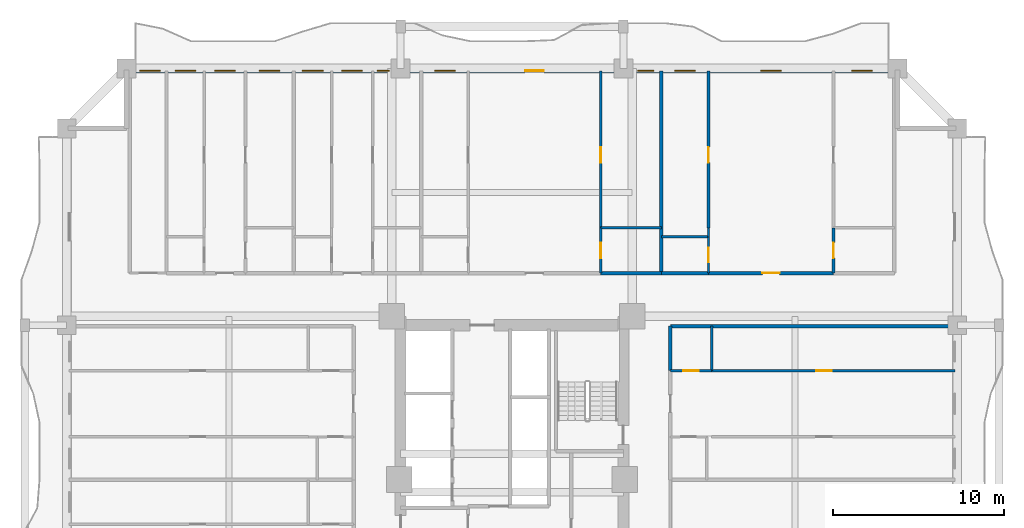
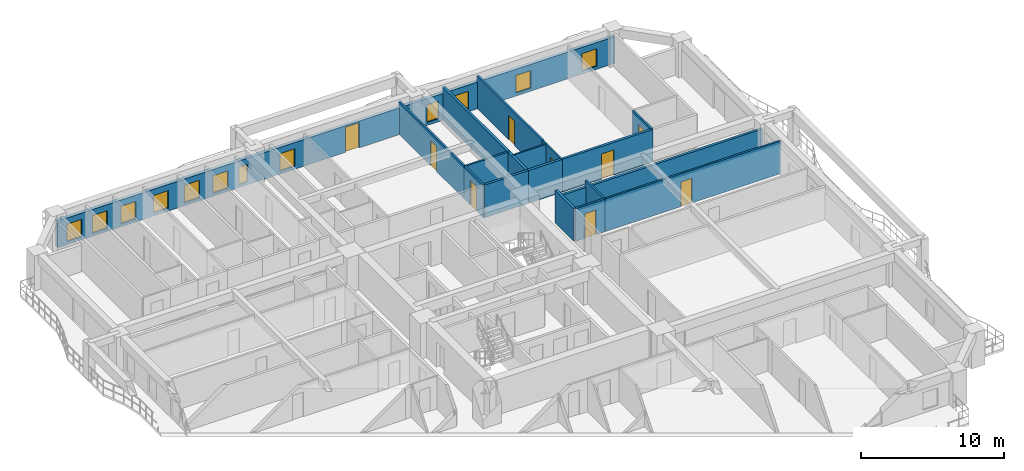
# One storey, part 7 of 15: 18 walls, 12 windows, 9 doors, 21 openings.
"""IFC4 building model written with IfcOpenShell, lengths in metres."""

from ifc_helpers import new_model, si_unit, direction, frame, frame_2d, origin, place, context, subcontext, project, spatial, rectangle, extrude, source, transform, mapped, material, layer, layer_set, type_object, element, fill, save


model = new_model("IFC4")

# Units and contexts
model_context = context("Model", 3, precision=1e-05, world=origin(), true_north=direction((0.0, 1.0)))
body_context = subcontext(model_context, "Body", "Model", "MODEL_VIEW")
ifc_project = project(units=[si_unit("LENGTHUNIT", "METRE"), si_unit("AREAUNIT", "SQUARE_METRE"), si_unit("VOLUMEUNIT", "CUBIC_METRE"), si_unit("PLANEANGLEUNIT", "RADIAN"), si_unit("MASSUNIT", "GRAM", prefix="KILO")], contexts=[model_context])

# Site, building, storey
site_placement = place(None, origin())
site = spatial("IfcSite", under=ifc_project, at=site_placement, CompositionType="ELEMENT")
building_placement = place(site_placement, origin())
building = spatial("IfcBuilding", under=site, at=building_placement, Name="Saelheon Loggia Tower", CompositionType="ELEMENT")
storey_placement = place(building_placement, frame((0.0, 0.0, 49.39990234375)))
storey = spatial("IfcBuildingStorey", under=building, at=storey_placement, Name="L15", CompositionType="ELEMENT", Elevation=49.39990234375)

# Wall, openings, windows, door
ifc_material_1 = material(Name="Architectural Precast Concrete C40/50", Category="concrete")
ifc_layer_1 = layer(ifc_material_1, 0.280029296875)
ifc_layer_set_1 = layer_set([ifc_layer_1], Name="Architectural Precast Concrete C40/50")
wall_type_1 = type_object("IfcWallType", Name="Wall_Ext_Loggia_280", PredefinedType="SOLIDWALL", material=ifc_layer_set_1)
wall_1_placement = place(storey_placement, frame((15.5, 50.860107421875, 0.0), z_axis=(0.0, 0.0, 1.0), x_axis=(1.0, 0.0, 0.0)))
wall_1 = element("IfcWall", 1, at=wall_1_placement, inside=storey, type_object=wall_type_1, Name="L15 North Loggia Inner Wall", PredefinedType="SOLIDWALL", context=body_context, shape_type="SweptSolid", body=[
    extrude(rectangle(XDim=45.0, YDim=0.280029296875, at=frame_2d((22.5, 0.0))), origin(), (0.0, 0.0, 1.0), 2.280029296875),
])
opening_1_placement = place(wall_1_placement, frame((0.760009765625, 0.0, 0.25)))
opening_1 = element("IfcOpeningElement", 2, at=opening_1_placement, cuts=wall_1, Name="Opening WN-03", PredefinedType="OPENING", context=body_context, shape_type="SweptSolid", body=[
    extrude(rectangle(XDim=1.199951171875, YDim=1.5, at=frame_2d((0.60009765625, 0.75))), frame((0.0, 0.152099609375, 0.0), z_axis=(0.0, -1.0, 0.0), x_axis=(1.0, 0.0, 0.0)), (0.0, 0.0, 1.0), 0.303955078125),
])
opening_2_placement = place(wall_1_placement, frame((2.830078125, 0.0, 0.25)))
opening_2 = element("IfcOpeningElement", 3, at=opening_2_placement, cuts=wall_1, Name="Opening WN-03", PredefinedType="OPENING", context=body_context, shape_type="SweptSolid", body=[
    extrude(rectangle(XDim=1.199951171875, YDim=1.5, at=frame_2d((0.60009765625, 0.75))), frame((0.0, 0.152099609375, 0.0), z_axis=(0.0, -1.0, 0.0), x_axis=(1.0, 0.0, 0.0)), (0.0, 0.0, 1.0), 0.303955078125),
])
opening_3_placement = place(wall_1_placement, frame((5.135009765625, 0.0, 0.25)))
opening_3 = element("IfcOpeningElement", 4, at=opening_3_placement, cuts=wall_1, Name="Opening WN-03", PredefinedType="OPENING", context=body_context, shape_type="SweptSolid", body=[
    extrude(rectangle(XDim=1.199951171875, YDim=1.5, at=frame_2d((0.60009765625, 0.75))), frame((0.0, 0.152099609375, 0.0), z_axis=(0.0, -1.0, 0.0), x_axis=(1.0, 0.0, 0.0)), (0.0, 0.0, 1.0), 0.303955078125),
])
opening_4_placement = place(wall_1_placement, frame((7.7529296875, 0.0, 0.25)))
opening_4 = element("IfcOpeningElement", 5, at=opening_4_placement, cuts=wall_1, Name="Opening WN-03", PredefinedType="OPENING", context=body_context, shape_type="SweptSolid", body=[
    extrude(rectangle(XDim=1.199951171875, YDim=1.5, at=frame_2d((0.60009765625, 0.75))), frame((0.0, 0.152099609375, 0.0), z_axis=(0.0, -1.0, 0.0), x_axis=(1.0, 0.0, 0.0)), (0.0, 0.0, 1.0), 0.303955078125),
])
opening_5_placement = place(wall_1_placement, frame((10.265869140625, 0.0, 0.25)))
opening_5 = element("IfcOpeningElement", 6, at=opening_5_placement, cuts=wall_1, Name="Opening WN-03", PredefinedType="OPENING", context=body_context, shape_type="SweptSolid", body=[
    extrude(rectangle(XDim=1.199951171875, YDim=1.5, at=frame_2d((0.60009765625, 0.75))), frame((0.0, 0.152099609375, 0.0), z_axis=(0.0, -1.0, 0.0), x_axis=(1.0, 0.0, 0.0)), (0.0, 0.0, 1.0), 0.303955078125),
])
opening_6_placement = place(wall_1_placement, frame((12.57080078125, 0.0, 0.25)))
opening_6 = element("IfcOpeningElement", 7, at=opening_6_placement, cuts=wall_1, Name="Opening WN-03", PredefinedType="OPENING", context=body_context, shape_type="SweptSolid", body=[
    extrude(rectangle(XDim=1.199951171875, YDim=1.5, at=frame_2d((0.60009765625, 0.75))), frame((0.0, 0.152099609375, 0.0), z_axis=(0.0, -1.0, 0.0), x_axis=(1.0, 0.0, 0.0)), (0.0, 0.0, 1.0), 0.303955078125),
])
opening_7_placement = place(wall_1_placement, frame((14.64306640625, 0.0, 0.25)))
opening_7 = element("IfcOpeningElement", 8, at=opening_7_placement, cuts=wall_1, Name="Opening WN-06", PredefinedType="OPENING", context=body_context, shape_type="SweptSolid", body=[
    extrude(rectangle(XDim=0.699951171875, YDim=1.5, at=frame_2d((0.35009765625, 0.75))), frame((0.0, 0.152099609375, 0.0), z_axis=(0.0, -1.0, 0.0), x_axis=(1.0, 0.0, 0.0)), (0.0, 0.0, 1.0), 0.303955078125),
])
opening_8_placement = place(wall_1_placement, frame((17.9765625, 0.0, 0.25)))
opening_8 = element("IfcOpeningElement", 9, at=opening_8_placement, cuts=wall_1, Name="Opening WN-03", PredefinedType="OPENING", context=body_context, shape_type="SweptSolid", body=[
    extrude(rectangle(XDim=1.199951171875, YDim=1.5, at=frame_2d((0.60009765625, 0.75))), frame((0.0, 0.152099609375, 0.0), z_axis=(0.0, -1.0, 0.0), x_axis=(1.0, 0.0, 0.0)), (0.0, 0.0, 1.0), 0.303955078125),
])
opening_9_placement = place(wall_1_placement, frame((23.26318359375, 0.0, 0.0)))
opening_9 = element("IfcOpeningElement", 10, at=opening_9_placement, cuts=wall_1, Name="Opening TD1", PredefinedType="OPENING", context=body_context, shape_type="SweptSolid", body=[
    extrude(rectangle(XDim=1.10009765625, YDim=2.14990234375, at=frame_2d((0.550048828125, 1.074951171875))), frame((0.0, 0.152099609375, 0.0), z_axis=(0.0, -1.0, 0.0), x_axis=(1.0, 0.0, 0.0)), (0.0, 0.0, 1.0), 0.303955078125),
])
opening_10_placement = place(wall_1_placement, frame((29.83154296875, 0.0, 0.25)))
opening_10 = element("IfcOpeningElement", 11, at=opening_10_placement, cuts=wall_1, Name="Opening WN-04", PredefinedType="OPENING", context=body_context, shape_type="SweptSolid", body=[
    extrude(rectangle(XDim=0.949951171875, YDim=1.5, at=frame_2d((0.47509765625, 0.75))), frame((0.0, 0.152099609375, 0.0), z_axis=(0.0, -1.0, 0.0), x_axis=(1.0, 0.0, 0.0)), (0.0, 0.0, 1.0), 0.303955078125),
])
opening_11_placement = place(wall_1_placement, frame((31.998291015625, 0.0, 0.25)))
opening_11 = element("IfcOpeningElement", 12, at=opening_11_placement, cuts=wall_1, Name="Opening WN-03", PredefinedType="OPENING", context=body_context, shape_type="SweptSolid", body=[
    extrude(rectangle(XDim=1.199951171875, YDim=1.5, at=frame_2d((0.60009765625, 0.75))), frame((0.0, 0.152099609375, 0.0), z_axis=(0.0, -1.0, 0.0), x_axis=(1.0, 0.0, 0.0)), (0.0, 0.0, 1.0), 0.303955078125),
])
opening_12_placement = place(wall_1_placement, frame((37.022705078125, 0.0, 0.25)))
opening_12 = element("IfcOpeningElement", 13, at=opening_12_placement, cuts=wall_1, Name="Opening WN-03", PredefinedType="OPENING", context=body_context, shape_type="SweptSolid", body=[
    extrude(rectangle(XDim=1.199951171875, YDim=1.5, at=frame_2d((0.60009765625, 0.75))), frame((0.0, 0.152099609375, 0.0), z_axis=(0.0, -1.0, 0.0), x_axis=(1.0, 0.0, 0.0)), (0.0, 0.0, 1.0), 0.303955078125),
])
opening_13_placement = place(wall_1_placement, frame((42.341064453125, 0.0, 0.25)))
opening_13 = element("IfcOpeningElement", 14, at=opening_13_placement, cuts=wall_1, Name="Opening WN-03", PredefinedType="OPENING", context=body_context, shape_type="SweptSolid", body=[
    extrude(rectangle(XDim=1.199951171875, YDim=1.5, at=frame_2d((0.60009765625, 0.75))), frame((0.0, 0.152099609375, 0.0), z_axis=(0.0, -1.0, 0.0), x_axis=(1.0, 0.0, 0.0)), (0.0, 0.0, 1.0), 0.303955078125),
])
ifc_material_2 = material(Name="Thermal-Break Aluminium and Triple Low-E Glass", Category="aluminium")
window_type_1 = type_object("IfcWindowType", Name="Win_Slot_700x1500", PartitioningType="SINGLE_PANEL", PredefinedType="WINDOW", material=ifc_material_2)
shared_shape_1 = source(origin(), body_context, "Body", "SweptSolid", [
    extrude(rectangle(XDim=0.699951171875, YDim=1.5, at=frame_2d((0.35009765625, 0.75))), frame((0.0, 0.030029296875, 0.0), z_axis=(0.0, -1.0, 0.0), x_axis=(1.0, 0.0, 0.0)), (0.0, 0.0, 1.0), 0.06005859375),
])
window_1_placement = place(opening_7_placement, origin())
window_1 = element("IfcWindow", 15, at=window_1_placement, inside=storey, type_object=window_type_1, Name="L15 N Dwelling Window 7", OverallHeight=1.5, OverallWidth=0.699951171875, PartitioningType="SINGLE_PANEL", PredefinedType="WINDOW", context=body_context, shape_type="MappedRepresentation", body=[
    mapped(shared_shape_1, transform((0.0, 0.0, 0.0), scale=1.0)),
])
fill(opening_7, window_1)
window_type_2 = type_object("IfcWindowType", Name="Win_Bedroom_1200x1500", PartitioningType="SINGLE_PANEL", PredefinedType="WINDOW", material=ifc_material_2)
shared_shape_2 = source(origin(), body_context, "Body", "SweptSolid", [
    extrude(rectangle(XDim=1.199951171875, YDim=1.5, at=frame_2d((0.60009765625, 0.75))), frame((0.0, 0.030029296875, 0.0), z_axis=(0.0, -1.0, 0.0), x_axis=(1.0, 0.0, 0.0)), (0.0, 0.0, 1.0), 0.06005859375),
])
window_2_placement = place(opening_1_placement, origin())
window_2 = element("IfcWindow", 16, at=window_2_placement, inside=storey, type_object=window_type_2, Name="L15 N Dwelling Window 1", OverallHeight=1.5, OverallWidth=1.199951171875, PartitioningType="SINGLE_PANEL", PredefinedType="WINDOW", context=body_context, shape_type="MappedRepresentation", body=[
    mapped(shared_shape_2, transform((0.0, 0.0, 0.0), scale=1.0)),
])
fill(opening_1, window_2)
window_3_placement = place(opening_2_placement, origin())
window_3 = element("IfcWindow", 17, at=window_3_placement, inside=storey, type_object=window_type_2, Name="L15 N Dwelling Window 2", OverallHeight=1.5, OverallWidth=1.199951171875, PartitioningType="SINGLE_PANEL", PredefinedType="WINDOW", context=body_context, shape_type="MappedRepresentation", body=[
    mapped(shared_shape_2, transform((0.0, 0.0, 0.0), scale=1.0)),
])
fill(opening_2, window_3)
window_4_placement = place(opening_3_placement, origin())
window_4 = element("IfcWindow", 18, at=window_4_placement, inside=storey, type_object=window_type_2, Name="L15 N Dwelling Window 3", OverallHeight=1.5, OverallWidth=1.199951171875, PartitioningType="SINGLE_PANEL", PredefinedType="WINDOW", context=body_context, shape_type="MappedRepresentation", body=[
    mapped(shared_shape_2, transform((0.0, 0.0, 0.0), scale=1.0)),
])
fill(opening_3, window_4)
window_5_placement = place(opening_4_placement, origin())
window_5 = element("IfcWindow", 19, at=window_5_placement, inside=storey, type_object=window_type_2, Name="L15 N Dwelling Window 4", OverallHeight=1.5, OverallWidth=1.199951171875, PartitioningType="SINGLE_PANEL", PredefinedType="WINDOW", context=body_context, shape_type="MappedRepresentation", body=[
    mapped(shared_shape_2, transform((0.0, 0.0, 0.0), scale=1.0)),
])
fill(opening_4, window_5)
window_6_placement = place(opening_5_placement, origin())
window_6 = element("IfcWindow", 20, at=window_6_placement, inside=storey, type_object=window_type_2, Name="L15 N Dwelling Window 5", OverallHeight=1.5, OverallWidth=1.199951171875, PartitioningType="SINGLE_PANEL", PredefinedType="WINDOW", context=body_context, shape_type="MappedRepresentation", body=[
    mapped(shared_shape_2, transform((0.0, 0.0, 0.0), scale=1.0)),
])
fill(opening_5, window_6)
window_7_placement = place(opening_6_placement, origin())
window_7 = element("IfcWindow", 21, at=window_7_placement, inside=storey, type_object=window_type_2, Name="L15 N Dwelling Window 6", OverallHeight=1.5, OverallWidth=1.199951171875, PartitioningType="SINGLE_PANEL", PredefinedType="WINDOW", context=body_context, shape_type="MappedRepresentation", body=[
    mapped(shared_shape_2, transform((0.0, 0.0, 0.0), scale=1.0)),
])
fill(opening_6, window_7)
window_8_placement = place(opening_8_placement, origin())
window_8 = element("IfcWindow", 22, at=window_8_placement, inside=storey, type_object=window_type_2, Name="L15 N Dwelling Window 8", OverallHeight=1.5, OverallWidth=1.199951171875, PartitioningType="SINGLE_PANEL", PredefinedType="WINDOW", context=body_context, shape_type="MappedRepresentation", body=[
    mapped(shared_shape_2, transform((0.0, 0.0, 0.0), scale=1.0)),
])
fill(opening_8, window_8)
window_9_placement = place(opening_11_placement, origin())
window_9 = element("IfcWindow", 23, at=window_9_placement, inside=storey, type_object=window_type_2, Name="L15 N Dwelling Window 11", OverallHeight=1.5, OverallWidth=1.199951171875, PartitioningType="SINGLE_PANEL", PredefinedType="WINDOW", context=body_context, shape_type="MappedRepresentation", body=[
    mapped(shared_shape_2, transform((0.0, 0.0, 0.0), scale=1.0)),
])
fill(opening_11, window_9)
window_10_placement = place(opening_12_placement, origin())
window_10 = element("IfcWindow", 24, at=window_10_placement, inside=storey, type_object=window_type_2, Name="L15 N Dwelling Window 12", OverallHeight=1.5, OverallWidth=1.199951171875, PartitioningType="SINGLE_PANEL", PredefinedType="WINDOW", context=body_context, shape_type="MappedRepresentation", body=[
    mapped(shared_shape_2, transform((0.0, 0.0, 0.0), scale=1.0)),
])
fill(opening_12, window_10)
window_11_placement = place(opening_13_placement, origin())
window_11 = element("IfcWindow", 25, at=window_11_placement, inside=storey, type_object=window_type_2, Name="L15 N Dwelling Window 13", OverallHeight=1.5, OverallWidth=1.199951171875, PartitioningType="SINGLE_PANEL", PredefinedType="WINDOW", context=body_context, shape_type="MappedRepresentation", body=[
    mapped(shared_shape_2, transform((0.0, 0.0, 0.0), scale=1.0)),
])
fill(opening_13, window_11)
ifc_material_3 = material(Name="Thermal-Break Aluminium Glazed Door", Category="aluminium")
door_type_1 = type_object("IfcDoorType", Name="Door_Terrace_TD1", OperationType="NOTDEFINED", PredefinedType="DOOR", material=ifc_material_3)
shared_shape_3 = source(origin(), body_context, "Body", "SweptSolid", [
    extrude(rectangle(XDim=1.10009765625, YDim=2.14990234375, at=frame_2d((0.550048828125, 1.074951171875))), frame((0.0, 0.02490234375, 0.0), z_axis=(0.0, -1.0, 0.0), x_axis=(1.0, 0.0, 0.0)), (0.0, 0.0, 1.0), 0.050048828125),
])
door_1_placement = place(opening_9_placement, origin())
door_1 = element("IfcDoor", 26, at=door_1_placement, inside=storey, type_object=door_type_1, Name="L15 N Loggia Access Door", OperationType="SINGLE_SWING_LEFT", OverallHeight=2.14990234375, OverallWidth=1.10009765625, PredefinedType="DOOR", context=body_context, shape_type="MappedRepresentation", body=[
    mapped(shared_shape_3, transform((0.0, 0.0, 0.0), scale=1.0)),
])
fill(opening_9, door_1)
window_type_3 = type_object("IfcWindowType", Name="Win_Narrow_950x1500", PartitioningType="SINGLE_PANEL", PredefinedType="WINDOW", material=ifc_material_2)
shared_shape_4 = source(origin(), body_context, "Body", "SweptSolid", [
    extrude(rectangle(XDim=0.949951171875, YDim=1.5, at=frame_2d((0.47509765625, 0.75))), frame((0.0, 0.030029296875, 0.0), z_axis=(0.0, -1.0, 0.0), x_axis=(1.0, 0.0, 0.0)), (0.0, 0.0, 1.0), 0.06005859375),
])
window_12_placement = place(opening_10_placement, origin())
window_12 = element("IfcWindow", 27, at=window_12_placement, inside=storey, type_object=window_type_3, Name="L15 N Dwelling Window 10", OverallHeight=1.5, OverallWidth=0.949951171875, PartitioningType="SINGLE_PANEL", PredefinedType="WINDOW", context=body_context, shape_type="MappedRepresentation", body=[
    mapped(shared_shape_4, transform((0.0, 0.0, 0.0), scale=1.0)),
])
fill(opening_10, window_12)

# Wall
ifc_material_4 = material(Name="Lightweight Autoclaved Aerated Concrete Block and Acoustic Gypsum", Category="concrete")
ifc_layer_2 = layer(ifc_material_4, 0.14990234375)
ifc_layer_set_2 = layer_set([ifc_layer_2], Name="Lightweight Autoclaved Aerated Concrete Block and Acoustic Gypsum")
wall_type_2 = type_object("IfcWallType", Name="Wall_Part_150", PredefinedType="PARTITIONING", material=ifc_layer_set_2)
wall_2_placement = place(storey_placement, frame((43.17529296875, 41.68994140625, 0.0), z_axis=(0.0, 0.0, 1.0), x_axis=(1.0, 0.0, 0.0)))
element("IfcWall", 28, at=wall_2_placement, inside=storey, type_object=wall_type_2, Name="L15 N Partition V31", PredefinedType="PARTITIONING", context=body_context, shape_type="SweptSolid", body=[
    extrude(rectangle(XDim=3.5478515625, YDim=0.14990234375, at=frame_2d((1.77392578125, 0.0))), origin(), (0.0, 0.0, 1.0), 2.7900390625),
])

# Wall, opening, door
wall_3_placement = place(storey_placement, frame((43.17529296875, 39.050048828125, 0.0), z_axis=(0.0, 0.0, 1.0), x_axis=(0.0, 1.0, 0.0)))
wall_3 = element("IfcWall", 29, at=wall_3_placement, inside=storey, type_object=wall_type_2, Name="L15 N Partition U35", PredefinedType="PARTITIONING", context=body_context, shape_type="SweptSolid", body=[
    extrude(rectangle(XDim=2.639892578125, YDim=0.14990234375, at=frame_2d((1.31982421875, 0.0))), origin(), (0.0, 0.0, 1.0), 2.7900390625),
])
opening_14_placement = place(wall_3_placement, frame((0.8701171875, 0.0, 0.0)))
opening_14 = element("IfcOpeningElement", 30, at=opening_14_placement, cuts=wall_3, Name="Opening D-IN2", PredefinedType="OPENING", context=body_context, shape_type="SweptSolid", body=[
    extrude(rectangle(XDim=0.89990234375, YDim=2.10009765625, at=frame_2d((0.449951171875, 1.050048828125))), frame((0.0, 0.0869140625, 0.0), z_axis=(0.0, -1.0, 0.0), x_axis=(1.0, 0.0, 0.0)), (0.0, 0.0, 1.0), 0.173828125),
])
ifc_material_5 = material(Name="Engineered Oak Flush Door", Category="timber")
door_type_2 = type_object("IfcDoorType", Name="Door_Int_900", OperationType="NOTDEFINED", PredefinedType="DOOR", material=ifc_material_5)
shared_shape_5 = source(origin(), body_context, "Body", "SweptSolid", [
    extrude(rectangle(XDim=0.89990234375, YDim=2.10009765625, at=frame_2d((0.449951171875, 1.050048828125))), frame((0.0, 0.02490234375, 0.0), z_axis=(0.0, -1.0, 0.0), x_axis=(1.0, 0.0, 0.0)), (0.0, 0.0, 1.0), 0.050048828125),
])
door_2_placement = place(opening_14_placement, origin())
door_2 = element("IfcDoor", 31, at=door_2_placement, inside=storey, type_object=door_type_2, Name="Unit U05 Dressing Closet Door", OperationType="SINGLE_SWING_LEFT", OverallHeight=2.10009765625, OverallWidth=0.89990234375, PredefinedType="DOOR", context=body_context, shape_type="MappedRepresentation", body=[
    mapped(shared_shape_5, transform((0.0, 0.0, 0.0), scale=1.0)),
])
fill(opening_14, door_2)

wall_4_placement = place(storey_placement, frame((43.17529296875, 41.68994140625, 0.0), z_axis=(0.0, 0.0, 1.0), x_axis=(0.0, 1.0, 0.0)))
wall_4 = element("IfcWall", 32, at=wall_4_placement, inside=storey, type_object=wall_type_2, Name="L15 N Partition U36", PredefinedType="PARTITIONING", context=body_context, shape_type="SweptSolid", body=[
    extrude(rectangle(XDim=9.16015625, YDim=0.14990234375, at=frame_2d((4.580078125, 0.0))), origin(), (0.0, 0.0, 1.0), 2.7900390625),
])
opening_15_placement = place(wall_4_placement, frame((3.805908203125, 0.0, 0.0)))
opening_15 = element("IfcOpeningElement", 33, at=opening_15_placement, cuts=wall_4, Name="Opening D-IN2", PredefinedType="OPENING", context=body_context, shape_type="SweptSolid", body=[
    extrude(rectangle(XDim=0.89990234375, YDim=2.10009765625, at=frame_2d((0.449951171875, 1.050048828125))), frame((0.0, 0.0869140625, 0.0), z_axis=(0.0, -1.0, 0.0), x_axis=(1.0, 0.0, 0.0)), (0.0, 0.0, 1.0), 0.173828125),
])
door_3_placement = place(opening_15_placement, origin())
door_3 = element("IfcDoor", 34, at=door_3_placement, inside=storey, type_object=door_type_2, Name="Unit U05 Bedroom 1 Door", OperationType="SINGLE_SWING_RIGHT", OverallHeight=2.10009765625, OverallWidth=0.89990234375, PredefinedType="DOOR", context=body_context, shape_type="MappedRepresentation", body=[
    mapped(shared_shape_5, transform((0.0, 0.0, 0.0), scale=1.0)),
])
fill(opening_15, door_3)

wall_5_placement = place(storey_placement, frame((49.47314453125, 41.68994140625, 0.0), z_axis=(0.0, 0.0, 1.0), x_axis=(0.0, 1.0, 0.0)))
wall_5 = element("IfcWall", 35, at=wall_5_placement, inside=storey, type_object=wall_type_2, Name="L15 N Partition U45", PredefinedType="PARTITIONING", context=body_context, shape_type="SweptSolid", body=[
    extrude(rectangle(XDim=9.16015625, YDim=0.14990234375, at=frame_2d((4.580078125, 0.0))), origin(), (0.0, 0.0, 1.0), 2.7900390625),
])
opening_16_placement = place(wall_5_placement, frame((3.805908203125, 0.0, 0.0)))
opening_16 = element("IfcOpeningElement", 36, at=opening_16_placement, cuts=wall_5, Name="Opening D-IN2", PredefinedType="OPENING", context=body_context, shape_type="SweptSolid", body=[
    extrude(rectangle(XDim=0.89990234375, YDim=2.10009765625, at=frame_2d((0.449951171875, 1.050048828125))), frame((0.0, 0.0869140625, 0.0), z_axis=(0.0, -1.0, 0.0), x_axis=(1.0, 0.0, 0.0)), (0.0, 0.0, 1.0), 0.173828125),
])
door_4_placement = place(opening_16_placement, origin())
door_4 = element("IfcDoor", 37, at=door_4_placement, inside=storey, type_object=door_type_2, Name="Unit U06 Kitchen Door", OperationType="SINGLE_SWING_LEFT", OverallHeight=2.10009765625, OverallWidth=0.89990234375, PredefinedType="DOOR", context=body_context, shape_type="MappedRepresentation", body=[
    mapped(shared_shape_5, transform((0.0, 0.0, 0.0), scale=1.0)),
])
fill(opening_16, door_4)

wall_6_placement = place(storey_placement, frame((56.77197265625, 39.050048828125, 0.0), z_axis=(0.0, 0.0, 1.0), x_axis=(0.0, 1.0, 0.0)))
wall_6 = element("IfcWall", 38, at=wall_6_placement, inside=storey, type_object=wall_type_2, Name="L15 N Partition U46", PredefinedType="PARTITIONING", context=body_context, shape_type="SweptSolid", body=[
    extrude(rectangle(XDim=2.639892578125, YDim=0.14990234375, at=frame_2d((1.31982421875, 0.0))), origin(), (0.0, 0.0, 1.0), 2.7900390625),
])
opening_17_placement = place(wall_6_placement, frame((0.8701171875, 0.0, 0.0)))
opening_17 = element("IfcOpeningElement", 39, at=opening_17_placement, cuts=wall_6, Name="Opening D-IN2", PredefinedType="OPENING", context=body_context, shape_type="SweptSolid", body=[
    extrude(rectangle(XDim=0.89990234375, YDim=2.10009765625, at=frame_2d((0.449951171875, 1.050048828125))), frame((0.0, 0.0869140625, 0.0), z_axis=(0.0, -1.0, 0.0), x_axis=(1.0, 0.0, 0.0)), (0.0, 0.0, 1.0), 0.173828125),
])
door_5_placement = place(opening_17_placement, origin())
door_5 = element("IfcDoor", 40, at=door_5_placement, inside=storey, type_object=door_type_2, Name="Unit U06 Dressing Closet Door", OperationType="SINGLE_SWING_RIGHT", OverallHeight=2.10009765625, OverallWidth=0.89990234375, PredefinedType="DOOR", context=body_context, shape_type="MappedRepresentation", body=[
    mapped(shared_shape_5, transform((0.0, 0.0, 0.0), scale=1.0)),
])
fill(opening_17, door_5)

# Wall
wall_7_placement = place(storey_placement, frame((49.64990234375, 33.35009765625, 0.0), z_axis=(0.0, 0.0, 1.0), x_axis=(0.0, 1.0, 0.0)))
element("IfcWall", 41, at=wall_7_placement, inside=storey, type_object=wall_type_2, Name="L15 E Partition V09", PredefinedType="PARTITIONING", context=body_context, shape_type="SweptSolid", body=[
    extrude(rectangle(XDim=2.599853515625, YDim=0.14990234375, at=frame_2d((1.2998046875, 0.0))), origin(), (0.0, 0.0, 1.0), 2.7900390625),
])

# Wall, opening, door
wall_8_placement = place(storey_placement, frame((47.25, 33.35009765625, 0.0), z_axis=(0.0, 0.0, 1.0), x_axis=(1.0, 0.0, 0.0)))
wall_8 = element("IfcWall", 42, at=wall_8_placement, inside=storey, type_object=wall_type_2, Name="L15 E Partition U12", PredefinedType="PARTITIONING", context=body_context, shape_type="SweptSolid", body=[
    extrude(rectangle(XDim=2.39990234375, YDim=0.14990234375, at=frame_2d((1.199951171875, 0.0))), origin(), (0.0, 0.0, 1.0), 2.7900390625),
])
opening_18_placement = place(wall_8_placement, frame((0.75, 0.0, 0.0)))
opening_18 = element("IfcOpeningElement", 43, at=opening_18_placement, cuts=wall_8, Name="Opening D-IN2", PredefinedType="OPENING", context=body_context, shape_type="SweptSolid", body=[
    extrude(rectangle(XDim=0.89990234375, YDim=2.10009765625, at=frame_2d((0.449951171875, 1.050048828125))), frame((0.0, 0.0869140625, 0.0), z_axis=(0.0, -1.0, 0.0), x_axis=(1.0, 0.0, 0.0)), (0.0, 0.0, 1.0), 0.173828125),
])
door_6_placement = place(opening_18_placement, origin())
door_6 = element("IfcDoor", 44, at=door_6_placement, inside=storey, type_object=door_type_2, Name="Unit U09 Dressing Closet Door", OperationType="SINGLE_SWING_RIGHT", OverallHeight=2.10009765625, OverallWidth=0.89990234375, PredefinedType="DOOR", context=body_context, shape_type="MappedRepresentation", body=[
    mapped(shared_shape_5, transform((0.0, 0.0, 0.0), scale=1.0)),
])
fill(opening_18, door_6)

wall_9_placement = place(storey_placement, frame((49.64990234375, 33.35009765625, 0.0), z_axis=(0.0, 0.0, 1.0), x_axis=(1.0, 0.0, 0.0)))
wall_9 = element("IfcWall", 45, at=wall_9_placement, inside=storey, type_object=wall_type_2, Name="L15 E Partition U13", PredefinedType="PARTITIONING", context=body_context, shape_type="SweptSolid", body=[
    extrude(rectangle(XDim=14.2001953125, YDim=0.14990234375, at=frame_2d((7.10009765625, 0.0))), origin(), (0.0, 0.0, 1.0), 2.7900390625),
])
opening_19_placement = place(wall_9_placement, frame((6.11572265625, 0.0, 0.0)))
opening_19 = element("IfcOpeningElement", 46, at=opening_19_placement, cuts=wall_9, Name="Opening D-IN2", PredefinedType="OPENING", context=body_context, shape_type="SweptSolid", body=[
    extrude(rectangle(XDim=0.89990234375, YDim=2.10009765625, at=frame_2d((0.449951171875, 1.050048828125))), frame((0.0, 0.0869140625, 0.0), z_axis=(0.0, -1.0, 0.0), x_axis=(1.0, 0.0, 0.0)), (0.0, 0.0, 1.0), 0.173828125),
])
door_7_placement = place(opening_19_placement, origin())
door_7 = element("IfcDoor", 47, at=door_7_placement, inside=storey, type_object=door_type_2, Name="Unit U09 Bedroom 1 Door", OperationType="SINGLE_SWING_LEFT", OverallHeight=2.10009765625, OverallWidth=0.89990234375, PredefinedType="DOOR", context=body_context, shape_type="MappedRepresentation", body=[
    mapped(shared_shape_5, transform((0.0, 0.0, 0.0), scale=1.0)),
])
fill(opening_19, door_7)

# Walls
ifc_material_6 = material(Name="Double Acoustic Stud and Fireboard Partition", Category="gypsum")
ifc_layer_3 = layer(ifc_material_6, 0.199951171875)
ifc_layer_set_3 = layer_set([ifc_layer_3], Name="Double Acoustic Stud and Fireboard Partition")
wall_type_3 = type_object("IfcWallType", Name="Wall_Party_200", PredefinedType="PARTITIONING", material=ifc_layer_set_3)
wall_10_placement = place(storey_placement, frame((43.17529296875, 39.050048828125, 0.0), z_axis=(0.0, 0.0, 1.0), x_axis=(1.0, 0.0, 0.0)))
element("IfcWall", 48, at=wall_10_placement, inside=storey, type_object=wall_type_3, Name="L15 N Partition V29", PredefinedType="PARTITIONING", context=body_context, shape_type="SweptSolid", body=[
    extrude(rectangle(XDim=3.5478515625, YDim=0.199951171875, at=frame_2d((1.77392578125, 0.0))), origin(), (0.0, 0.0, 1.0), 2.7900390625),
])
wall_11_placement = place(storey_placement, frame((46.72314453125, 39.050048828125, 0.0), z_axis=(0.0, 0.0, 1.0), x_axis=(0.0, 1.0, 0.0)))
element("IfcWall", 49, at=wall_11_placement, inside=storey, type_object=wall_type_3, Name="L15 N Partition U37", PredefinedType="PARTITIONING", context=body_context, shape_type="SweptSolid", body=[
    extrude(rectangle(XDim=11.800048828125, YDim=0.199951171875, at=frame_2d((5.89990234375, 0.0))), origin(), (0.0, 0.0, 1.0), 2.7900390625),
])
wall_12_placement = place(storey_placement, frame((46.72314453125, 39.050048828125, 0.0), z_axis=(0.0, 0.0, 1.0), x_axis=(1.0, 0.0, 0.0)))
element("IfcWall", 50, at=wall_12_placement, inside=storey, type_object=wall_type_3, Name="L15 N Partition V38", PredefinedType="PARTITIONING", context=body_context, shape_type="SweptSolid", body=[
    extrude(rectangle(XDim=2.75, YDim=0.199951171875, at=frame_2d((1.375, 0.0))), origin(), (0.0, 0.0, 1.0), 2.7900390625),
])

# Wall, opening, door
wall_13_placement = place(storey_placement, frame((49.47314453125, 39.050048828125, 0.0), z_axis=(0.0, 0.0, 1.0), x_axis=(1.0, 0.0, 0.0)))
wall_13 = element("IfcWall", 51, at=wall_13_placement, inside=storey, type_object=wall_type_3, Name="L15 N Partition V39", PredefinedType="PARTITIONING", context=body_context, shape_type="SweptSolid", body=[
    extrude(rectangle(XDim=7.298828125, YDim=0.199951171875, at=frame_2d((3.6494140625, 0.0))), origin(), (0.0, 0.0, 1.0), 2.7900390625),
])
opening_20_placement = place(wall_13_placement, frame((3.1494140625, 0.0, 0.0)))
opening_20 = element("IfcOpeningElement", 52, at=opening_20_placement, cuts=wall_13, Name="Opening D-FD1", PredefinedType="OPENING", context=body_context, shape_type="SweptSolid", body=[
    extrude(rectangle(XDim=1.0, YDim=2.14990234375, at=frame_2d((0.5, 1.074951171875))), frame((0.0, 0.112060546875, 0.0), z_axis=(0.0, -1.0, 0.0), x_axis=(1.0, 0.0, 0.0)), (0.0, 0.0, 1.0), 0.223876953125),
])
ifc_material_7 = material(Name="Fire-Rated Engineered Timber Entrance Door", Category="wood")
door_type_3 = type_object("IfcDoorType", Name="Door_Flat_FD30S", OperationType="NOTDEFINED", PredefinedType="DOOR", material=ifc_material_7)
shared_shape_6 = source(origin(), body_context, "Body", "SweptSolid", [
    extrude(rectangle(XDim=1.0, YDim=2.14990234375, at=frame_2d((0.5, 1.074951171875))), frame((0.0, 0.02490234375, 0.0), z_axis=(0.0, -1.0, 0.0), x_axis=(1.0, 0.0, 0.0)), (0.0, 0.0, 1.0), 0.050048828125),
])
door_8_placement = place(opening_20_placement, origin())
door_8 = element("IfcDoor", 53, at=door_8_placement, inside=storey, type_object=door_type_3, Name="Unit U06 Entrance Door", OperationType="SINGLE_SWING_LEFT", OverallHeight=2.14990234375, OverallWidth=1.0, PredefinedType="DOOR", context=body_context, shape_type="MappedRepresentation", body=[
    mapped(shared_shape_6, transform((0.0, 0.0, 0.0), scale=1.0)),
])
fill(opening_20, door_8)

# Walls
wall_14_placement = place(storey_placement, frame((47.25, 35.949951171875, 0.0), z_axis=(0.0, 0.0, 1.0), x_axis=(1.0, 0.0, 0.0)))
element("IfcWall", 54, at=wall_14_placement, inside=storey, type_object=wall_type_3, Name="L15 E Partition U02", PredefinedType="PARTITIONING", context=body_context, shape_type="SweptSolid", body=[
    extrude(rectangle(XDim=16.60009765625, YDim=0.199951171875, at=frame_2d((8.300048828125, 0.0))), origin(), (0.0, 0.0, 1.0), 2.239990234375),
])
wall_15_placement = place(storey_placement, frame((47.25, 33.35009765625, 0.0), z_axis=(0.0, 0.0, 1.0), x_axis=(0.0, 1.0, 0.0)))
element("IfcWall", 55, at=wall_15_placement, inside=storey, type_object=wall_type_3, Name="L15 E Partition V07", PredefinedType="PARTITIONING", context=body_context, shape_type="SweptSolid", body=[
    extrude(rectangle(XDim=2.599853515625, YDim=0.199951171875, at=frame_2d((1.2998046875, 0.0))), origin(), (0.0, 0.0, 1.0), 2.7900390625),
])
ifc_material_8 = material(Name="Moisture-Resistant Cement Board Partition", Category="gypsum")
ifc_layer_4 = layer(ifc_material_8, 0.1201171875)
ifc_layer_set_4 = layer_set([ifc_layer_4], Name="Moisture-Resistant Cement Board Partition")
wall_type_4 = type_object("IfcWallType", Name="Wall_WetPart_120", PredefinedType="PARTITIONING", material=ifc_layer_set_4)
wall_16_placement = place(storey_placement, frame((46.72314453125, 41.169921875, 0.0), z_axis=(0.0, 0.0, 1.0), x_axis=(1.0, 0.0, 0.0)))
element("IfcWall", 56, at=wall_16_placement, inside=storey, type_object=wall_type_4, Name="L15 N Partition V41", PredefinedType="PARTITIONING", context=body_context, shape_type="SweptSolid", body=[
    extrude(rectangle(XDim=2.75, YDim=0.1201171875, at=frame_2d((1.375, 0.0))), origin(), (0.0, 0.0, 1.0), 2.7900390625),
])

# Wall, opening, door
wall_17_placement = place(storey_placement, frame((49.47314453125, 39.050048828125, 0.0), z_axis=(0.0, 0.0, 1.0), x_axis=(0.0, 1.0, 0.0)))
wall_17 = element("IfcWall", 57, at=wall_17_placement, inside=storey, type_object=wall_type_4, Name="L15 N Partition U43", PredefinedType="PARTITIONING", context=body_context, shape_type="SweptSolid", body=[
    extrude(rectangle(XDim=2.119873046875, YDim=0.1201171875, at=frame_2d((1.06005859375, 0.0))), origin(), (0.0, 0.0, 1.0), 2.7900390625),
])
opening_21_placement = place(wall_17_placement, frame((0.635009765625, 0.0, 0.0)))
opening_21 = element("IfcOpeningElement", 58, at=opening_21_placement, cuts=wall_17, Name="Opening D-BT1", PredefinedType="OPENING", context=body_context, shape_type="SweptSolid", body=[
    extrude(rectangle(XDim=0.85009765625, YDim=2.050048828125, at=frame_2d((0.425048828125, 1.02490234375))), frame((0.0, 0.072021484375, 0.0), z_axis=(0.0, -1.0, 0.0), x_axis=(1.0, 0.0, 0.0)), (0.0, 0.0, 1.0), 0.14404296875),
])
ifc_material_9 = material(Name="Moisture-Resistant Laminate Timber Door", Category="wood")
door_type_4 = type_object("IfcDoorType", Name="Door_Bath_850", OperationType="NOTDEFINED", PredefinedType="DOOR", material=ifc_material_9)
shared_shape_7 = source(origin(), body_context, "Body", "SweptSolid", [
    extrude(rectangle(XDim=0.85009765625, YDim=2.050048828125, at=frame_2d((0.425048828125, 1.02490234375))), frame((0.0, 0.02490234375, 0.0), z_axis=(0.0, -1.0, 0.0), x_axis=(1.0, 0.0, 0.0)), (0.0, 0.0, 1.0), 0.050048828125),
])
door_9_placement = place(opening_21_placement, origin())
door_9 = element("IfcDoor", 59, at=door_9_placement, inside=storey, type_object=door_type_4, Name="Unit U06 Bathroom Door", OperationType="SINGLE_SWING_RIGHT", OverallHeight=2.050048828125, OverallWidth=0.85009765625, PredefinedType="DOOR", context=body_context, shape_type="MappedRepresentation", body=[
    mapped(shared_shape_7, transform((0.0, 0.0, 0.0), scale=1.0)),
])
fill(opening_21, door_9)

# Wall
wall_18_placement = place(storey_placement, frame((49.47314453125, 41.169921875, 0.0), z_axis=(0.0, 0.0, 1.0), x_axis=(0.0, 1.0, 0.0)))
element("IfcWall", 60, at=wall_18_placement, inside=storey, type_object=wall_type_4, Name="L15 N Partition U44", PredefinedType="PARTITIONING", context=body_context, shape_type="SweptSolid", body=[
    extrude(rectangle(XDim=0.52001953125, YDim=0.1201171875, at=frame_2d((0.260009765625, 0.0))), origin(), (0.0, 0.0, 1.0), 2.7900390625),
])

save(model, "model.ifc")
